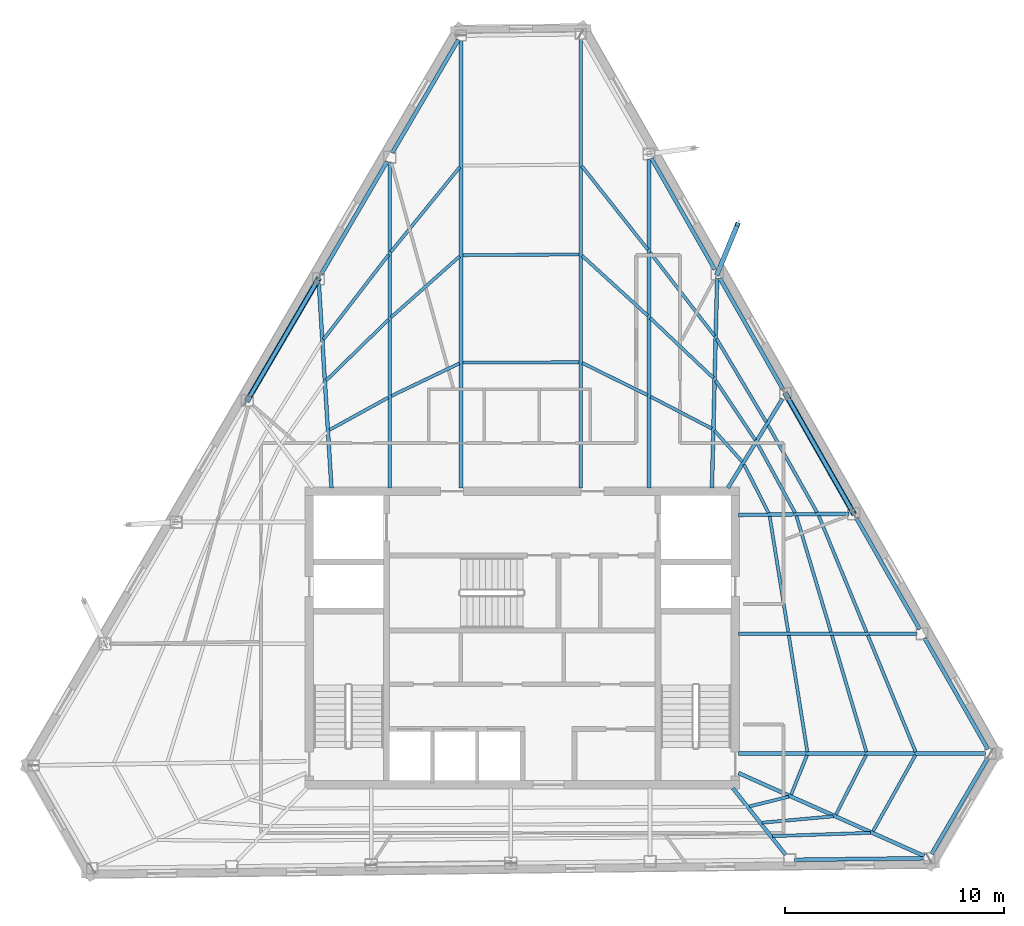
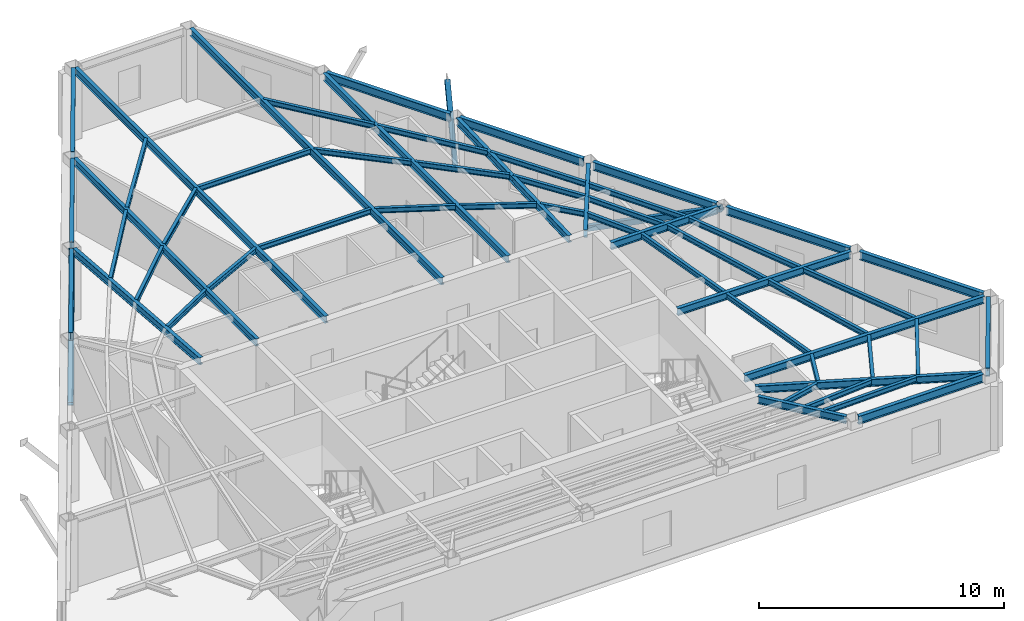
# One storey, part 2 of 10: 54 beams, 3 members.
"""IFC4 building model written with IfcOpenShell, lengths in metres."""

from ifc_helpers import new_model, si_unit, direction, frame, origin, origin_2d, place, context, subcontext, project, spatial, hollow_rectangle, i_section, extrude, material, material_profile, profile_set, type_object, element, save


model = new_model("IFC4")

# Units and contexts
model_context = context("Model", 3, precision=1e-05, world=origin(), true_north=direction((0.0, 1.0)))
body_context = subcontext(model_context, "Body", "Model", "MODEL_VIEW")
ifc_project = project(units=[si_unit("LENGTHUNIT", "METRE"), si_unit("AREAUNIT", "SQUARE_METRE"), si_unit("VOLUMEUNIT", "CUBIC_METRE"), si_unit("PLANEANGLEUNIT", "RADIAN"), si_unit("MASSUNIT", "GRAM", prefix="KILO")], contexts=[model_context])

# Site, building, storey
site_placement = place(None, origin())
site = spatial("IfcSite", under=ifc_project, at=site_placement, CompositionType="ELEMENT")
building_placement = place(site_placement, origin())
building = spatial("IfcBuilding", under=site, at=building_placement, Name="Kavelnor Concourse Tower", CompositionType="ELEMENT")
storey_placement = place(building_placement, frame((0.0, 0.0, 289.550048828125)))
storey = spatial("IfcBuildingStorey", under=building, at=storey_placement, Name="L73", CompositionType="ELEMENT", Elevation=289.550048828125)

# Beams
ifc_material = material(Name="Steel Grade 350", Category="steel")
ifc_material_profile_1 = material_profile(ifc_material, i_section(OverallWidth=0.14599609375, OverallDepth=0.256103515625, WebThickness=0.00634765625, FlangeThickness=0.010986328125, at=origin_2d()), Name="250UB37")
ifc_profile_set_1 = profile_set([ifc_material_profile_1], Name="Steel Grade 350")
beam_type_1 = type_object("IfcBeamType", Name="BM-JOIST-250", PredefinedType="JOIST", material=ifc_profile_set_1)
beam_1_placement = place(storey_placement, frame((48.36083984375, 8.42041015625, 3.48193359375), z_axis=(0.970630116684, 0.240576758198, 0.0), x_axis=(-0.240576758198, 0.970630116684, 0.0)))
element("IfcBeam", 1, at=beam_1_placement, inside=storey, type_object=beam_type_1, Name="L73 Secondary Composite Joist 08-1", PredefinedType="JOIST", context=body_context, shape_type="SweptSolid", body=[
    extrude(i_section(OverallWidth=0.14599609375, OverallDepth=0.256103515625, WebThickness=0.00634765625, FlangeThickness=0.010986328125, at=origin_2d()), origin(), (0.0, 0.0, 1.0), 1.847900390625),
])
beam_2_placement = place(storey_placement, frame((48.93994140625, 7.678466796875, 3.48193359375), z_axis=(0.996007892518, 0.089265211828, 0.0), x_axis=(-0.089265211828, 0.996007892518, 0.0)))
element("IfcBeam", 2, at=beam_2_placement, inside=storey, type_object=beam_type_1, Name="L73 Secondary Composite Joist 08-2", PredefinedType="JOIST", context=body_context, shape_type="SweptSolid", body=[
    extrude(i_section(OverallWidth=0.14599609375, OverallDepth=0.256103515625, WebThickness=0.00634765625, FlangeThickness=0.010986328125, at=origin_2d()), origin(), (0.0, 0.0, 1.0), 3.25732421875),
])
beam_3_placement = place(storey_placement, frame((49.421142578125, 7.066162109375, 3.48193359375), z_axis=(0.999429179128, 0.033783367311, 0.0), x_axis=(-0.033783367311, 0.999429179128, 0.0)))
element("IfcBeam", 3, at=beam_3_placement, inside=storey, type_object=beam_type_1, Name="L73 Secondary Composite Joist 08-3", PredefinedType="JOIST", context=body_context, shape_type="SweptSolid", body=[
    extrude(i_section(OverallWidth=0.14599609375, OverallDepth=0.256103515625, WebThickness=0.00634765625, FlangeThickness=0.010986328125, at=origin_2d()), origin(), (0.0, 0.0, 1.0), 4.458740234375),
])
beam_4_placement = place(storey_placement, frame((50.2646484375, 8.960693359375, 3.48193359375), z_axis=(0.371956592287, 0.928250124403, 0.0), x_axis=(-0.928250124403, 0.371956592287, 0.0)))
element("IfcBeam", 4, at=beam_4_placement, inside=storey, type_object=beam_type_1, Name="L73 Secondary Composite Joist 09-1", PredefinedType="JOIST", context=body_context, shape_type="SweptSolid", body=[
    extrude(i_section(OverallWidth=0.14599609375, OverallDepth=0.256103515625, WebThickness=0.00634765625, FlangeThickness=0.010986328125, at=origin_2d()), origin(), (0.0, 0.0, 1.0), 1.93359375),
])
beam_5_placement = place(storey_placement, frame((52.30322265625, 8.049560546875, 3.48193359375), z_axis=(0.453372160577, 0.891321313564, 0.0), x_axis=(-0.891321313564, 0.453372160577, 0.0)))
element("IfcBeam", 5, at=beam_5_placement, inside=storey, type_object=beam_type_1, Name="L73 Secondary Composite Joist 09-2", PredefinedType="JOIST", context=body_context, shape_type="SweptSolid", body=[
    extrude(i_section(OverallWidth=0.14599609375, OverallDepth=0.256103515625, WebThickness=0.00634765625, FlangeThickness=0.010986328125, at=origin_2d()), origin(), (0.0, 0.0, 1.0), 3.039306640625),
])
beam_6_placement = place(storey_placement, frame((53.999267578125, 7.291259765625, 3.48193359375), z_axis=(0.486660598929, 0.873591129448, 0.0), x_axis=(-0.873591129448, 0.486660598929, 0.0)))
element("IfcBeam", 6, at=beam_6_placement, inside=storey, type_object=beam_type_1, Name="L73 Secondary Composite Joist 09-3", PredefinedType="JOIST", context=body_context, shape_type="SweptSolid", body=[
    extrude(i_section(OverallWidth=0.14599609375, OverallDepth=0.256103515625, WebThickness=0.00634765625, FlangeThickness=0.010986328125, at=origin_2d()), origin(), (0.0, 0.0, 1.0), 3.970703125),
])
beam_7_placement = place(storey_placement, frame((51.001708984375, 10.91259765625, 3.48193359375), z_axis=(-0.157432284527, 0.98752978476, 0.0), x_axis=(-0.98752978476, -0.157432284527, 0.0)))
element("IfcBeam", 7, at=beam_7_placement, inside=storey, type_object=beam_type_1, Name="L73 Secondary Composite Joist 10-1", PredefinedType="JOIST", context=body_context, shape_type="SweptSolid", body=[
    extrude(i_section(OverallWidth=0.14599609375, OverallDepth=0.256103515625, WebThickness=0.00634765625, FlangeThickness=0.010986328125, at=origin_2d()), origin(), (0.0, 0.0, 1.0), 5.373291015625),
])
beam_8_placement = place(storey_placement, frame((53.695068359375, 10.910400390625, 3.48193359375), z_axis=(-0.283872204906, 0.958862123187, 0.0), x_axis=(-0.958862123187, -0.283872204906, 0.0)))
element("IfcBeam", 8, at=beam_8_placement, inside=storey, type_object=beam_type_1, Name="L73 Secondary Composite Joist 10-2", PredefinedType="JOIST", context=body_context, shape_type="SweptSolid", body=[
    extrude(i_section(OverallWidth=0.14599609375, OverallDepth=0.256103515625, WebThickness=0.00634765625, FlangeThickness=0.010986328125, at=origin_2d()), origin(), (0.0, 0.0, 1.0), 5.53857421875),
])
beam_9_placement = place(storey_placement, frame((55.9404296875, 10.90771484375, 3.48193359375), z_axis=(-0.37927470724, 0.925284116609, 0.0), x_axis=(-0.925284116609, -0.37927470724, 0.0)))
element("IfcBeam", 9, at=beam_9_placement, inside=storey, type_object=beam_type_1, Name="L73 Secondary Composite Joist 10-3", PredefinedType="JOIST", context=body_context, shape_type="SweptSolid", body=[
    extrude(i_section(OverallWidth=0.14599609375, OverallDepth=0.256103515625, WebThickness=0.00634765625, FlangeThickness=0.010986328125, at=origin_2d()), origin(), (0.0, 0.0, 1.0), 5.74560546875),
])
beam_10_placement = place(storey_placement, frame((50.1298828125, 16.380859375, 3.48193359375), z_axis=(-0.158568925815, 0.987347910195, 0.0), x_axis=(-0.987347910195, -0.158568925815, 0.0)))
element("IfcBeam", 10, at=beam_10_placement, inside=storey, type_object=beam_type_1, Name="L73 Secondary Composite Joist 11-1", PredefinedType="JOIST", context=body_context, shape_type="SweptSolid", body=[
    extrude(i_section(OverallWidth=0.14599609375, OverallDepth=0.256103515625, WebThickness=0.00634765625, FlangeThickness=0.010986328125, at=origin_2d()), origin(), (0.0, 0.0, 1.0), 5.333251953125),
])
beam_11_placement = place(storey_placement, frame((52.076171875, 16.37841796875, 3.48193359375), z_axis=(-0.28518142498, 0.958473554589, 0.0), x_axis=(-0.958473554589, -0.28518142498, 0.0)))
element("IfcBeam", 11, at=beam_11_placement, inside=storey, type_object=beam_type_1, Name="L73 Secondary Composite Joist 11-2", PredefinedType="JOIST", context=body_context, shape_type="SweptSolid", body=[
    extrude(i_section(OverallWidth=0.14599609375, OverallDepth=0.256103515625, WebThickness=0.00634765625, FlangeThickness=0.010986328125, at=origin_2d()), origin(), (0.0, 0.0, 1.0), 5.512451171875),
])
beam_12_placement = place(storey_placement, frame((53.698974609375, 16.375732421875, 3.48193359375), z_axis=(-0.380269729045, 0.924875631192, 0.0), x_axis=(-0.924875631192, -0.380269729045, 0.0)))
element("IfcBeam", 12, at=beam_12_placement, inside=storey, type_object=beam_type_1, Name="L73 Secondary Composite Joist 11-3", PredefinedType="JOIST", context=body_context, shape_type="SweptSolid", body=[
    extrude(i_section(OverallWidth=0.14599609375, OverallDepth=0.256103515625, WebThickness=0.00634765625, FlangeThickness=0.010986328125, at=origin_2d()), origin(), (0.0, 0.0, 1.0), 5.72998046875),
])
beam_13_placement = place(storey_placement, frame((49.234130859375, 21.80078125, 3.48193359375), z_axis=(-0.451623847888, 0.892208439782, 0.0), x_axis=(-0.892208439782, -0.451623847888, 0.0)))
element("IfcBeam", 13, at=beam_13_placement, inside=storey, type_object=beam_type_1, Name="L73 Secondary Composite Joist 12-1", PredefinedType="JOIST", context=body_context, shape_type="SweptSolid", body=[
    extrude(i_section(OverallWidth=0.14599609375, OverallDepth=0.256103515625, WebThickness=0.00634765625, FlangeThickness=0.010986328125, at=origin_2d()), origin(), (0.0, 0.0, 1.0), 2.47705078125),
])
beam_14_placement = place(storey_placement, frame((50.441650390625, 21.8125, 3.48193359375), z_axis=(-0.477910039651, 0.878408785248, 0.0), x_axis=(-0.878408785248, -0.477910039651, 0.0)))
element("IfcBeam", 14, at=beam_14_placement, inside=storey, type_object=beam_type_1, Name="L73 Secondary Composite Joist 12-2", PredefinedType="JOIST", context=body_context, shape_type="SweptSolid", body=[
    extrude(i_section(OverallWidth=0.14599609375, OverallDepth=0.256103515625, WebThickness=0.00634765625, FlangeThickness=0.010986328125, at=origin_2d()), origin(), (0.0, 0.0, 1.0), 3.6142578125),
])
beam_15_placement = place(storey_placement, frame((51.448486328125, 21.822509765625, 3.48193359375), z_axis=(-0.48993862798, 0.871756927597, 0.0), x_axis=(-0.871756927597, -0.48993862798, 0.0)))
element("IfcBeam", 15, at=beam_15_placement, inside=storey, type_object=beam_type_1, Name="L73 Secondary Composite Joist 12-3", PredefinedType="JOIST", context=body_context, shape_type="SweptSolid", body=[
    extrude(i_section(OverallWidth=0.14599609375, OverallDepth=0.256103515625, WebThickness=0.00634765625, FlangeThickness=0.010986328125, at=origin_2d()), origin(), (0.0, 0.0, 1.0), 4.5634765625),
])
beam_16_placement = place(storey_placement, frame((48.02392578125, 24.145263671875, 3.48193359375), z_axis=(-0.665007528753, 0.746836653293, 0.0), x_axis=(-0.746836653293, -0.665007528753, 0.0)))
element("IfcBeam", 16, at=beam_16_placement, inside=storey, type_object=beam_type_1, Name="L73 Secondary Composite Joist 13-1", PredefinedType="JOIST", context=body_context, shape_type="SweptSolid", body=[
    extrude(i_section(OverallWidth=0.14599609375, OverallDepth=0.256103515625, WebThickness=0.00634765625, FlangeThickness=0.010986328125, at=origin_2d()), origin(), (0.0, 0.0, 1.0), 1.882568359375),
])
beam_17_placement = place(storey_placement, frame((48.629638671875, 25.127685546875, 3.48193359375), z_axis=(-0.555755101686, 0.831346057277, 0.0), x_axis=(-0.831346057277, -0.555755101686, 0.0)))
element("IfcBeam", 17, at=beam_17_placement, inside=storey, type_object=beam_type_1, Name="L73 Secondary Composite Joist 13-2", PredefinedType="JOIST", context=body_context, shape_type="SweptSolid", body=[
    extrude(i_section(OverallWidth=0.14599609375, OverallDepth=0.256103515625, WebThickness=0.00634765625, FlangeThickness=0.010986328125, at=origin_2d()), origin(), (0.0, 0.0, 1.0), 3.256591796875),
])
beam_18_placement = place(storey_placement, frame((49.130615234375, 25.94287109375, 3.48193359375), z_axis=(-0.51242469035, 0.858732168211, 0.0), x_axis=(-0.858732168211, -0.51242469035, 0.0)))
element("IfcBeam", 18, at=beam_18_placement, inside=storey, type_object=beam_type_1, Name="L73 Secondary Composite Joist 13-3", PredefinedType="JOIST", context=body_context, shape_type="SweptSolid", body=[
    extrude(i_section(OverallWidth=0.14599609375, OverallDepth=0.256103515625, WebThickness=0.00634765625, FlangeThickness=0.010986328125, at=origin_2d()), origin(), (0.0, 0.0, 1.0), 4.423828125),
])
beam_19_placement = place(storey_placement, frame((46.644775390625, 25.650390625, 3.48193359375), z_axis=(-0.886713421149, 0.462319487752, 0.0), x_axis=(-0.462319487752, -0.886713421149, 0.0)))
element("IfcBeam", 19, at=beam_19_placement, inside=storey, type_object=beam_type_1, Name="L73 Secondary Composite Joist 14-1", PredefinedType="JOIST", context=body_context, shape_type="SweptSolid", body=[
    extrude(i_section(OverallWidth=0.14599609375, OverallDepth=0.256103515625, WebThickness=0.00634765625, FlangeThickness=0.010986328125, at=origin_2d()), origin(), (0.0, 0.0, 1.0), 3.14794921875),
])
beam_20_placement = place(storey_placement, frame((46.71484375, 27.959716796875, 3.48193359375), z_axis=(-0.725039406582, 0.688707382641, 0.0), x_axis=(-0.688707382641, -0.725039406582, 0.0)))
element("IfcBeam", 20, at=beam_20_placement, inside=storey, type_object=beam_type_1, Name="L73 Secondary Composite Joist 14-2", PredefinedType="JOIST", context=body_context, shape_type="SweptSolid", body=[
    extrude(i_section(OverallWidth=0.14599609375, OverallDepth=0.256103515625, WebThickness=0.00634765625, FlangeThickness=0.010986328125, at=origin_2d()), origin(), (0.0, 0.0, 1.0), 3.964599609375),
])
beam_21_placement = place(storey_placement, frame((46.771728515625, 29.876953125, 3.48193359375), z_axis=(-0.611323279781, 0.791380975004, 0.0), x_axis=(-0.791380975004, -0.611323279781, 0.0)))
element("IfcBeam", 21, at=beam_21_placement, inside=storey, type_object=beam_type_1, Name="L73 Secondary Composite Joist 14-3", PredefinedType="JOIST", context=body_context, shape_type="SweptSolid", body=[
    extrude(i_section(OverallWidth=0.14599609375, OverallDepth=0.256103515625, WebThickness=0.00634765625, FlangeThickness=0.010986328125, at=origin_2d()), origin(), (0.0, 0.0, 1.0), 4.810791015625),
])
beam_22_placement = place(storey_placement, frame((43.707275390625, 27.1796875, 3.48193359375), z_axis=(-0.897347568514, 0.441324530568, 0.0), x_axis=(-0.441324530568, -0.897347568514, 0.0)))
element("IfcBeam", 22, at=beam_22_placement, inside=storey, type_object=beam_type_1, Name="L73 Secondary Composite Joist 15-1", PredefinedType="JOIST", context=body_context, shape_type="SweptSolid", body=[
    extrude(i_section(OverallWidth=0.14599609375, OverallDepth=0.256103515625, WebThickness=0.00634765625, FlangeThickness=0.010986328125, at=origin_2d()), origin(), (0.0, 0.0, 1.0), 3.305419921875),
])
beam_23_placement = place(storey_placement, frame((43.72021484375, 30.802001953125, 3.48193359375), z_axis=(-0.738345912666, 0.674422206967, 0.0), x_axis=(-0.674422206967, -0.738345912666, 0.0)))
element("IfcBeam", 23, at=beam_23_placement, inside=storey, type_object=beam_type_1, Name="L73 Secondary Composite Joist 15-2", PredefinedType="JOIST", context=body_context, shape_type="SweptSolid", body=[
    extrude(i_section(OverallWidth=0.14599609375, OverallDepth=0.256103515625, WebThickness=0.00634765625, FlangeThickness=0.010986328125, at=origin_2d()), origin(), (0.0, 0.0, 1.0), 4.05224609375),
])
beam_24_placement = place(storey_placement, frame((43.72998046875, 33.8134765625, 3.48193359375), z_axis=(-0.620263646097, 0.784393402146, 0.0), x_axis=(-0.784393402146, -0.620263646097, 0.0)))
element("IfcBeam", 24, at=beam_24_placement, inside=storey, type_object=beam_type_1, Name="L73 Secondary Composite Joist 15-3", PredefinedType="JOIST", context=body_context, shape_type="SweptSolid", body=[
    extrude(i_section(OverallWidth=0.14599609375, OverallDepth=0.256103515625, WebThickness=0.00634765625, FlangeThickness=0.010986328125, at=origin_2d()), origin(), (0.0, 0.0, 1.0), 4.855224609375),
])
for number, where, z_axis, x_axis, name in (
    (25, (40.585693359375, 28.67431640625, 3.48193359375), (-0.999994338484, -0.003364966659, 0.0), (0.003364966659, -0.999994338484, 0.0), "L73 Secondary Composite Joist 16-1"),
    (26, (40.585693359375, 33.589599609375, 3.48193359375), (-0.999980638203, -0.006222798292, 0.0), (0.006222798292, -0.999980638203, 0.0), "L73 Secondary Composite Joist 16-2"),
):
    element("IfcBeam", number, at=place(storey_placement, frame(where, z_axis=z_axis, x_axis=x_axis)), inside=storey, type_object=beam_type_1, Name=name, PredefinedType="JOIST", context=body_context, shape_type="SweptSolid", body=[
        extrude(i_section(OverallWidth=0.14599609375, OverallDepth=0.256103515625, WebThickness=0.00634765625, FlangeThickness=0.010986328125, at=origin_2d()), origin(), (0.0, 0.0, 1.0), 5.29638671875),
    ])
beam_25_placement = place(storey_placement, frame((35.13330078125, 28.62109375, 3.48193359375), z_axis=(-0.90203919015, -0.431654143305, 0.0), x_axis=(0.431654143305, -0.902039190151, 0.0)))
element("IfcBeam", 27, at=beam_25_placement, inside=storey, type_object=beam_type_1, Name="L73 Secondary Composite Joist 17-1", PredefinedType="JOIST", context=body_context, shape_type="SweptSolid", body=[
    extrude(i_section(OverallWidth=0.14599609375, OverallDepth=0.256103515625, WebThickness=0.00634765625, FlangeThickness=0.010986328125, at=origin_2d()), origin(), (0.0, 0.0, 1.0), 3.435302734375),
])
beam_26_placement = place(storey_placement, frame((35.14599609375, 33.501708984375, 3.48193359375), z_axis=(-0.747528552508, -0.664229676531, 0.0), x_axis=(0.664229676531, -0.747528552508, 0.0)))
element("IfcBeam", 28, at=beam_26_placement, inside=storey, type_object=beam_type_1, Name="L73 Secondary Composite Joist 17-2", PredefinedType="JOIST", context=body_context, shape_type="SweptSolid", body=[
    extrude(i_section(OverallWidth=0.14599609375, OverallDepth=0.256103515625, WebThickness=0.00634765625, FlangeThickness=0.010986328125, at=origin_2d()), origin(), (0.0, 0.0, 1.0), 4.179443359375),
])
beam_27_placement = place(storey_placement, frame((35.15576171875, 37.575439453125, 3.48193359375), z_axis=(-0.630793635335, -0.775950636072, 0.0), x_axis=(0.775950636072, -0.630793635335, 0.0)))
element("IfcBeam", 29, at=beam_27_placement, inside=storey, type_object=beam_type_1, Name="L73 Secondary Composite Joist 17-3", PredefinedType="JOIST", context=body_context, shape_type="SweptSolid", body=[
    extrude(i_section(OverallWidth=0.14599609375, OverallDepth=0.256103515625, WebThickness=0.00634765625, FlangeThickness=0.010986328125, at=origin_2d()), origin(), (0.0, 0.0, 1.0), 4.9833984375),
])
beam_28_placement = place(storey_placement, frame((31.888671875, 27.0634765625, 3.48193359375), z_axis=(-0.87578860881, -0.482694844264, 0.0), x_axis=(0.482694844264, -0.87578860881, 0.0)))
element("IfcBeam", 30, at=beam_28_placement, inside=storey, type_object=beam_type_1, Name="L73 Secondary Composite Joist 18-1", PredefinedType="JOIST", context=body_context, shape_type="SweptSolid", body=[
    extrude(i_section(OverallWidth=0.14599609375, OverallDepth=0.256103515625, WebThickness=0.00634765625, FlangeThickness=0.010986328125, at=origin_2d()), origin(), (0.0, 0.0, 1.0), 3.054443359375),
])
beam_29_placement = place(storey_placement, frame((31.901611328125, 30.614013671875, 3.48193359375), z_axis=(-0.715761689624, -0.698344616695, 0.0), x_axis=(0.698344616695, -0.715761689624, 0.0)))
element("IfcBeam", 31, at=beam_29_placement, inside=storey, type_object=beam_type_1, Name="L73 Secondary Composite Joist 18-2", PredefinedType="JOIST", context=body_context, shape_type="SweptSolid", body=[
    extrude(i_section(OverallWidth=0.14599609375, OverallDepth=0.256103515625, WebThickness=0.00634765625, FlangeThickness=0.010986328125, at=origin_2d()), origin(), (0.0, 0.0, 1.0), 3.966796875),
])
beam_30_placement = place(storey_placement, frame((31.910400390625, 33.57958984375, 3.48193359375), z_axis=(-0.609667196394, -0.792657498319, 0.0), x_axis=(0.792657498319, -0.609667196394, 0.0)))
element("IfcBeam", 32, at=beam_30_placement, inside=storey, type_object=beam_type_1, Name="L73 Secondary Composite Joist 18-3", PredefinedType="JOIST", context=body_context, shape_type="SweptSolid", body=[
    extrude(i_section(OverallWidth=0.14599609375, OverallDepth=0.256103515625, WebThickness=0.00634765625, FlangeThickness=0.010986328125, at=origin_2d()), origin(), (0.0, 0.0, 1.0), 4.875),
])
ifc_material_profile_2 = material_profile(ifc_material, i_section(OverallWidth=0.172119140625, OverallDepth=0.35888671875, WebThickness=0.008056640625, FlangeThickness=0.012939453125, at=origin_2d()), Name="360UB56")
ifc_profile_set_2 = profile_set([ifc_material_profile_2], Name="Steel Grade 350")
beam_type_2 = type_object("IfcBeamType", Name="BM-PRIMARY-360", PredefinedType="BEAM", material=ifc_profile_set_2)
beam_31_placement = place(storey_placement, frame((35.20751953125, 22.93994140625, 3.430419921875), z_axis=(0.0, 1.0, 0.0), x_axis=(-1.0, 0.0, 0.0)))
element("IfcBeam", 33, at=beam_31_placement, inside=storey, type_object=beam_type_2, Name="L73 Primary Floor Girder F0-B0", PredefinedType="BEAM", context=body_context, shape_type="SweptSolid", body=[
    extrude(i_section(OverallWidth=0.172119140625, OverallDepth=0.35888671875, WebThickness=0.008056640625, FlangeThickness=0.012939453125, at=origin_2d()), origin(), (0.0, 0.0, 1.0), 20.41552734375),
])
beam_32_placement = place(storey_placement, frame((31.96044921875, 22.93994140625, 3.430419921875), z_axis=(0.0, 1.0, 0.0), x_axis=(-1.0, 0.0, 0.0)))
element("IfcBeam", 34, at=beam_32_placement, inside=storey, type_object=beam_type_2, Name="L73 Primary Floor Girder F0-B1", PredefinedType="BEAM", context=body_context, shape_type="SweptSolid", body=[
    extrude(i_section(OverallWidth=0.172119140625, OverallDepth=0.35888671875, WebThickness=0.008056640625, FlangeThickness=0.012939453125, at=origin_2d()), origin(), (0.0, 0.0, 1.0), 14.86767578125),
])
beam_33_placement = place(storey_placement, frame((29.30322265625, 22.940185546875, 3.430419921875), z_axis=(-0.061730424882, 0.998092858728, 0.0), x_axis=(-0.998092858728, -0.061730424882, 0.0)))
element("IfcBeam", 35, at=beam_33_placement, inside=storey, type_object=beam_type_2, Name="L73 Primary Floor Girder F0-B2", PredefinedType="BEAM", context=body_context, shape_type="SweptSolid", body=[
    extrude(i_section(OverallWidth=0.172119140625, OverallDepth=0.35888671875, WebThickness=0.008056640625, FlangeThickness=0.012939453125, at=origin_2d()), origin(), (0.0, 0.0, 1.0), 9.337646484375),
])
beam_34_placement = place(storey_placement, frame((47.60791015625, 9.25146484375, 3.430419921875), z_axis=(0.620514119824, -0.784195273576, 0.0), x_axis=(0.784195273576, 0.620514119824, 0.0)))
element("IfcBeam", 36, at=beam_34_placement, inside=storey, type_object=beam_type_2, Name="L73 Primary Floor Girder F1-B5", PredefinedType="BEAM", context=body_context, shape_type="SweptSolid", body=[
    extrude(i_section(OverallWidth=0.172119140625, OverallDepth=0.35888671875, WebThickness=0.008056640625, FlangeThickness=0.012939453125, at=origin_2d()), origin(), (0.0, 0.0, 1.0), 3.875),
])
beam_35_placement = place(storey_placement, frame((47.863525390625, 9.944091796875, 3.430419921875), z_axis=(0.912963850039, -0.408040449615, 0.0), x_axis=(0.408040449615, 0.912963850039, 0.0)))
element("IfcBeam", 37, at=beam_35_placement, inside=storey, type_object=beam_type_2, Name="L73 Primary Floor Girder F1-B6", PredefinedType="BEAM", context=body_context, shape_type="SweptSolid", body=[
    extrude(i_section(OverallWidth=0.172119140625, OverallDepth=0.35888671875, WebThickness=0.008056640625, FlangeThickness=0.012939453125, at=origin_2d()), origin(), (0.0, 0.0, 1.0), 9.2734375),
])
beam_36_placement = place(storey_placement, frame((47.860107421875, 10.831787109375, 3.430419921875), z_axis=(1.0, 0.0, 0.0), x_axis=(0.0, 1.0, 0.0)))
element("IfcBeam", 38, at=beam_36_placement, inside=storey, type_object=beam_type_2, Name="L73 Primary Floor Girder F2-B0", PredefinedType="BEAM", context=body_context, shape_type="SweptSolid", body=[
    extrude(i_section(OverallWidth=0.172119140625, OverallDepth=0.35888671875, WebThickness=0.008056640625, FlangeThickness=0.012939453125, at=origin_2d()), origin(), (0.0, 0.0, 1.0), 11.26611328125),
])
beam_37_placement = place(storey_placement, frame((47.860107421875, 16.2998046875, 3.430419921875), z_axis=(1.0, 0.0, 0.0), x_axis=(0.0, 1.0, 0.0)))
element("IfcBeam", 39, at=beam_37_placement, inside=storey, type_object=beam_type_2, Name="L73 Primary Floor Girder F2-B1", PredefinedType="BEAM", context=body_context, shape_type="SweptSolid", body=[
    extrude(i_section(OverallWidth=0.172119140625, OverallDepth=0.35888671875, WebThickness=0.008056640625, FlangeThickness=0.012939453125, at=origin_2d()), origin(), (0.0, 0.0, 1.0), 8.15283203125),
])
beam_38_placement = place(storey_placement, frame((47.860107421875, 21.712890625, 3.430419921875), z_axis=(0.999944753107, 0.010511457222, 0.0), x_axis=(-0.010511457222, 0.999944753107, 0.0)))
element("IfcBeam", 40, at=beam_38_placement, inside=storey, type_object=beam_type_2, Name="L73 Primary Floor Girder F2-B2", PredefinedType="BEAM", context=body_context, shape_type="SweptSolid", body=[
    extrude(i_section(OverallWidth=0.172119140625, OverallDepth=0.35888671875, WebThickness=0.008056640625, FlangeThickness=0.012939453125, at=origin_2d()), origin(), (0.0, 0.0, 1.0), 5.0400390625),
])
beam_39_placement = place(storey_placement, frame((47.382080078125, 22.94580078125, 3.430419921875), z_axis=(0.521845800035, 0.853039835521, 0.0), x_axis=(-0.853039835521, 0.521845800035, 0.0)))
element("IfcBeam", 41, at=beam_39_placement, inside=storey, type_object=beam_type_2, Name="L73 Primary Floor Girder F2-B3", PredefinedType="BEAM", context=body_context, shape_type="SweptSolid", body=[
    extrude(i_section(OverallWidth=0.172119140625, OverallDepth=0.35888671875, WebThickness=0.008056640625, FlangeThickness=0.012939453125, at=origin_2d()), origin(), (0.0, 0.0, 1.0), 4.764892578125),
])
beam_40_placement = place(storey_placement, frame((46.65087890625, 22.93994140625, 3.430419921875), z_axis=(0.024854833634, 0.999691070904, 0.0), x_axis=(-0.999691070904, 0.024854833634, 0.0)))
element("IfcBeam", 42, at=beam_40_placement, inside=storey, type_object=beam_type_2, Name="L73 Primary Floor Girder F2-B4", PredefinedType="BEAM", context=body_context, shape_type="SweptSolid", body=[
    extrude(i_section(OverallWidth=0.172119140625, OverallDepth=0.35888671875, WebThickness=0.008056640625, FlangeThickness=0.012939453125, at=origin_2d()), origin(), (0.0, 0.0, 1.0), 9.547607421875),
])
beam_41_placement = place(storey_placement, frame((43.78076171875, 22.93994140625, 3.430419921875), z_axis=(0.0, 1.0, 0.0), x_axis=(-1.0, 0.0, 0.0)))
element("IfcBeam", 43, at=beam_41_placement, inside=storey, type_object=beam_type_2, Name="L73 Primary Floor Girder F2-B5", PredefinedType="BEAM", context=body_context, shape_type="SweptSolid", body=[
    extrude(i_section(OverallWidth=0.172119140625, OverallDepth=0.35888671875, WebThickness=0.008056640625, FlangeThickness=0.012939453125, at=origin_2d()), origin(), (0.0, 0.0, 1.0), 15.0126953125),
])
beam_42_placement = place(storey_placement, frame((40.667724609375, 22.93994140625, 3.430419921875), z_axis=(0.0, 1.0, 0.0), x_axis=(-1.0, 0.0, 0.0)))
element("IfcBeam", 44, at=beam_42_placement, inside=storey, type_object=beam_type_2, Name="L73 Primary Floor Girder F2-B6", PredefinedType="BEAM", context=body_context, shape_type="SweptSolid", body=[
    extrude(i_section(OverallWidth=0.172119140625, OverallDepth=0.35888671875, WebThickness=0.008056640625, FlangeThickness=0.012939453125, at=origin_2d()), origin(), (0.0, 0.0, 1.0), 20.48095703125),
])
ifc_material_profile_3 = material_profile(ifc_material, i_section(OverallWidth=0.177978515625, OverallDepth=0.406005859375, WebThickness=0.0078125, FlangeThickness=0.0126953125, at=origin_2d()), Name="410UB59")
ifc_profile_set_3 = profile_set([ifc_material_profile_3], Name="Steel Grade 350")
beam_type_3 = type_object("IfcBeamType", Name="BM-SPANDREL-Z4", PredefinedType="SPANDREL", material=ifc_profile_set_3)
for number, where, z_axis, x_axis, name in (
    (45, (35.09375, 43.38134765625, 3.406982421875), (-0.505102044335, -0.863059629926, 0.0), (0.863059629926, -0.505102044335, 0.0), "L73 Perimeter Tube Spandrel Beam F0-B0"),
    (46, (31.8466796875, 37.83349609375, 3.406982421875), (-0.505150267656, -0.86303140562, 0.0), (0.86303140562, -0.505150267656, 0.0), "L73 Perimeter Tube Spandrel Beam F0-B1"),
    (47, (28.599609375, 32.285888671875, 3.406982421875), (-0.505102044335, -0.863059629926, 0.0), (0.863059629926, -0.505102044335, 0.0), "L73 Perimeter Tube Spandrel Beam F0-B2"),
):
    element("IfcBeam", number, at=place(storey_placement, frame(where, z_axis=z_axis, x_axis=x_axis)), inside=storey, type_object=beam_type_3, Name=name, PredefinedType="SPANDREL", context=body_context, shape_type="SweptSolid", body=[
        extrude(i_section(OverallWidth=0.177978515625, OverallDepth=0.406005859375, WebThickness=0.0078125, FlangeThickness=0.0126953125, at=origin_2d()), origin(), (0.0, 0.0, 1.0), 5.97802734375),
    ])
beam_43_placement = place(storey_placement, frame((50.41845703125, 5.98681640625, 3.406982421875), z_axis=(0.999928247454, 0.011979146188, 0.0), x_axis=(-0.011979146188, 0.999928247454, 0.0)))
element("IfcBeam", 48, at=beam_43_placement, inside=storey, type_object=beam_type_3, Name="L73 Perimeter Tube Spandrel Beam F1-B5", PredefinedType="SPANDREL", context=body_context, shape_type="SweptSolid", body=[
    extrude(i_section(OverallWidth=0.177978515625, OverallDepth=0.406005859375, WebThickness=0.0078125, FlangeThickness=0.0126953125, at=origin_2d()), origin(), (0.0, 0.0, 1.0), 5.910400390625),
])
beam_44_placement = place(storey_placement, frame((59.23486328125, 11.027099609375, 3.406982421875), z_axis=(-0.49475227979, 0.869034050911, 0.0), x_axis=(-0.869034050911, -0.49475227979, 0.0)))
element("IfcBeam", 49, at=beam_44_placement, inside=storey, type_object=beam_type_3, Name="L73 Perimeter Tube Spandrel Beam F2-B0", PredefinedType="SPANDREL", context=body_context, shape_type="SweptSolid", body=[
    extrude(i_section(OverallWidth=0.177978515625, OverallDepth=0.406005859375, WebThickness=0.0078125, FlangeThickness=0.0126953125, at=origin_2d()), origin(), (0.0, 0.0, 1.0), 5.842529296875),
])
for number, where, z_axis, x_axis, name in (
    (50, (56.12158203125, 16.495361328125, 3.406982421875), (-0.494738687324, 0.869041789136, 0.0), (-0.869041789136, -0.494738687324, 0.0), "L73 Perimeter Tube Spandrel Beam F2-B1"),
    (51, (53.0087890625, 21.963623046875, 3.406982421875), (-0.494770246721, 0.86902382186, 0.0), (-0.86902382186, -0.494770246721, 0.0), "L73 Perimeter Tube Spandrel Beam F2-B2"),
    (52, (49.8955078125, 27.431884765625, 3.406982421875), (-0.494738687324, 0.869041789136, 0.0), (-0.869041789136, -0.494738687324, 0.0), "L73 Perimeter Tube Spandrel Beam F2-B3"),
):
    element("IfcBeam", number, at=place(storey_placement, frame(where, z_axis=z_axis, x_axis=x_axis)), inside=storey, type_object=beam_type_3, Name=name, PredefinedType="SPANDREL", context=body_context, shape_type="SweptSolid", body=[
        extrude(i_section(OverallWidth=0.177978515625, OverallDepth=0.406005859375, WebThickness=0.0078125, FlangeThickness=0.0126953125, at=origin_2d()), origin(), (0.0, 0.0, 1.0), 5.84228515625),
    ])
beam_45_placement = place(storey_placement, frame((46.782470703125, 32.89990234375, 3.406982421875), z_axis=(-0.494720720795, 0.869052017094, 0.0), x_axis=(-0.869052017094, -0.494720720795, 0.0)))
element("IfcBeam", 53, at=beam_45_placement, inside=storey, type_object=beam_type_3, Name="L73 Perimeter Tube Spandrel Beam F2-B4", PredefinedType="SPANDREL", context=body_context, shape_type="SweptSolid", body=[
    extrude(i_section(OverallWidth=0.177978515625, OverallDepth=0.406005859375, WebThickness=0.0078125, FlangeThickness=0.0126953125, at=origin_2d()), origin(), (0.0, 0.0, 1.0), 5.842529296875),
])
beam_46_placement = place(storey_placement, frame((56.6669921875, 6.25439453125, 3.406982421875), z_axis=(0.505140777531, 0.863036960318, 0.0), x_axis=(-0.863036960318, 0.505140777531, 0.0)))
element("IfcBeam", 54, at=beam_46_placement, inside=storey, type_object=beam_type_3, Name="L73 Chamfer Facet Spandrel Beam C2", PredefinedType="SPANDREL", context=body_context, shape_type="SweptSolid", body=[
    extrude(i_section(OverallWidth=0.177978515625, OverallDepth=0.406005859375, WebThickness=0.0078125, FlangeThickness=0.0126953125, at=origin_2d()), origin(), (0.0, 0.0, 1.0), 5.07861328125),
])

# Members
ifc_material_profile_4 = material_profile(ifc_material, hollow_rectangle(XDim=0.219970703125, YDim=0.219970703125, WallThickness=0.013916015625, at=origin_2d()), Name="SHS 220x220x14")
ifc_profile_set_4 = profile_set([ifc_material_profile_4], Name="Steel Grade 350")
member_type_1 = type_object("IfcMemberType", Name="MBR-BALC-STRUT-220", PredefinedType="STRUT", material=ifc_profile_set_4)
member_1_placement = place(storey_placement, frame((46.893798828125, 32.70458984375, 1.050048828125), z_axis=(0.259946678589, 0.63263719542, 0.729518953326), x_axis=(-0.924961465932, 0.380060898463, 0.0)))
element("IfcMember", 55, at=member_1_placement, inside=storey, type_object=member_type_1, Name="L73 Tree Balcony Raking Knee Strut 1-A", PredefinedType="STRUT", context=body_context, shape_type="SweptSolid", body=[
    extrude(hollow_rectangle(XDim=0.219970703125, YDim=0.219970703125, WallThickness=0.013916015625, at=origin_2d()), origin(), (0.0, 0.0, 1.0), 3.57080078125),
])
ifc_material_profile_5 = material_profile(ifc_material, hollow_rectangle(XDim=0.25, YDim=0.25, WallThickness=0.01611328125, at=origin_2d()), Name="SHS 250x250x16")
ifc_profile_set_5 = profile_set([ifc_material_profile_5], Name="Steel Grade 350")
member_type_2 = type_object("IfcMemberType", Name="MBR-TUBE-DIAG-Z4", PredefinedType="BRACE", material=ifc_profile_set_5)
member_2_placement = place(storey_placement, frame((25.46630859375, 26.93212890625, 0.219970703125), z_axis=(0.452559765464, 0.773230684993, 0.444189111155), x_axis=(-0.863045160943, 0.505126766438, 0.0)))
element("IfcMember", 56, at=member_2_placement, inside=storey, type_object=member_type_2, Name="L73 Framed-Tube Bracing Diagonal F0-B2", PredefinedType="BRACE", context=body_context, shape_type="SweptSolid", body=[
    extrude(hollow_rectangle(XDim=0.25, YDim=0.25, WallThickness=0.01611328125, at=origin_2d()), origin(), (0.0, 0.0, 1.0), 7.1748046875),
])
member_3_placement = place(storey_placement, frame((50.0068359375, 27.236328125, 0.219970703125), z_axis=(0.441382880366, -0.775258293165, 0.451835956736), x_axis=(0.869025208045, 0.494767811992, 0.0)))
element("IfcMember", 57, at=member_3_placement, inside=storey, type_object=member_type_2, Name="L73 Framed-Tube Bracing Diagonal F2-B2", PredefinedType="BRACE", context=body_context, shape_type="SweptSolid", body=[
    extrude(hollow_rectangle(XDim=0.25, YDim=0.25, WallThickness=0.01611328125, at=origin_2d()), origin(), (0.0, 0.0, 1.0), 7.053466796875),
])

save(model, "model.ifc")
